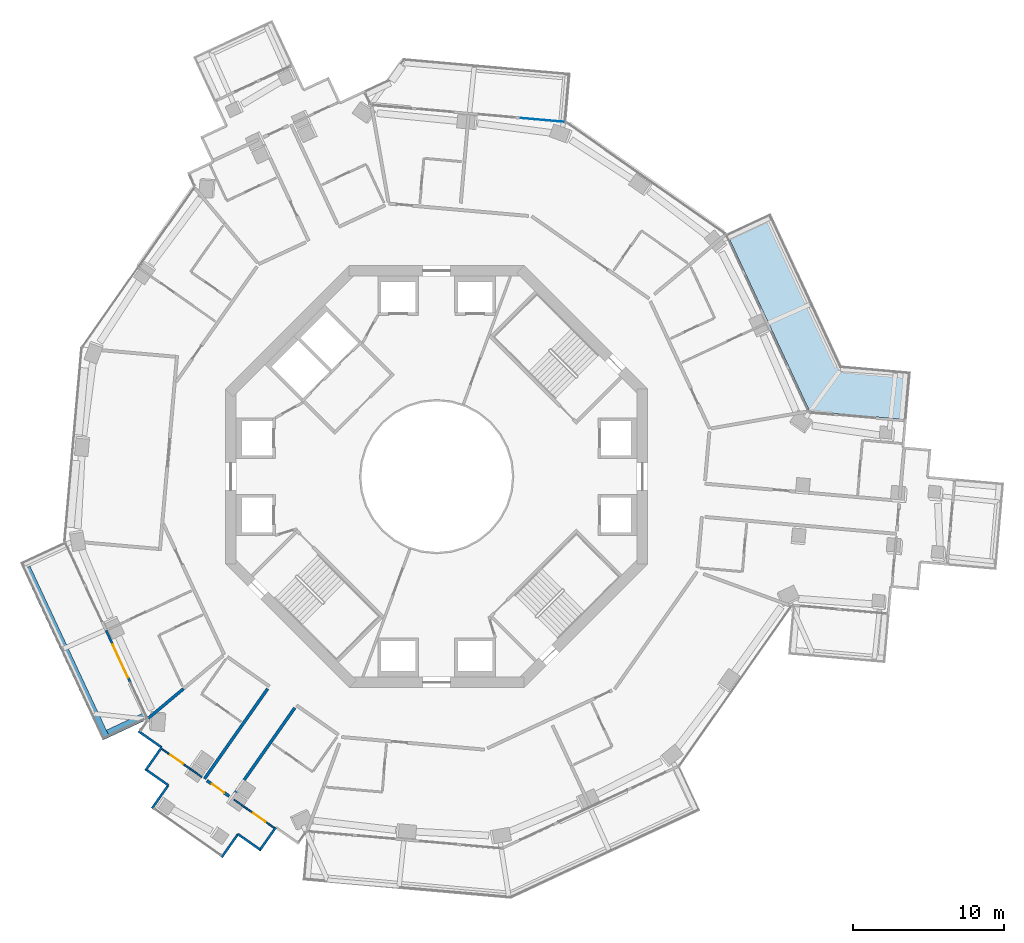
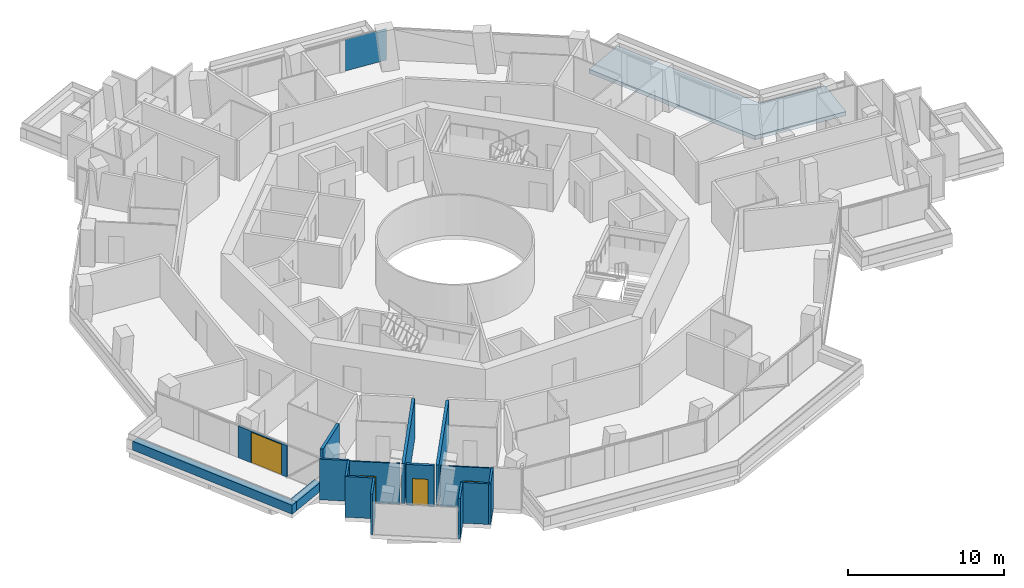
# One storey, part 14 of 23: 16 walls, 4 doors, 1 plate, 1 slab, 4 openings, 1 element without a shape of its own.
"""IFC4 building model written with IfcOpenShell, lengths in metres."""

from ifc_helpers import new_model, si_unit, direction, frame, frame_2d, origin, origin_2d, place, context, subcontext, project, spatial, polyline, rectangle, outline, extrude, material, layer, layer_set, type_object, element, fill, aggregate, save


model = new_model("IFC4")

# Units and contexts
model_context = context("Model", 3, precision=1e-05, world=origin(), true_north=direction((0.0, 1.0)))
body_context = subcontext(model_context, "Body", "Model", "MODEL_VIEW")
ifc_project = project(units=[si_unit("LENGTHUNIT", "METRE"), si_unit("AREAUNIT", "SQUARE_METRE"), si_unit("VOLUMEUNIT", "CUBIC_METRE"), si_unit("PLANEANGLEUNIT", "RADIAN"), si_unit("MASSUNIT", "GRAM", prefix="KILO")], contexts=[model_context])

# Site, building, storey
site_placement = place(None, origin())
site = spatial("IfcSite", under=ifc_project, at=site_placement, CompositionType="ELEMENT")
building_placement = place(site_placement, origin())
building = spatial("IfcBuilding", under=site, at=building_placement, Name="Verdalira Terraces Hotel", CompositionType="ELEMENT")
storey_placement = place(building_placement, frame((0.0, 0.0, 136.5)))
storey = spatial("IfcBuildingStorey", under=building, at=storey_placement, Name="L32", CompositionType="ELEMENT", Elevation=136.5)

# Slab
ifc_material_1 = material(Name="Precast concrete C40/50", Category="concrete")
ifc_layer_1 = layer(ifc_material_1, 0.31005859375)
ifc_layer_set_1 = layer_set([ifc_layer_1], Name="Balcony deck 310")
slab_type = type_object("IfcSlabType", Name="Balcony deck 310", PredefinedType="FLOOR", material=ifc_layer_set_1)
slab_placement = place(storey_placement, frame((0.0, 0.0, -0.310059)))
element("IfcSlab", 1, at=slab_placement, inside=storey, type_object=slab_type, Name="Balcony deck", PredefinedType="FLOOR", context=body_context, shape_type="SweptSolid", body=[
    extrude(outline(polyline([(22.150879, 17.47998), (19.249756, 16.129639), (24.735596, 4.34375), (31.174072, 3.775879), (31.455322, 6.963623), (26.857178, 7.369141), (22.150879, 17.47998)])), origin(), (0.0, 0.0, 1.0), 0.310059),
])

# Curtain wall, plate
ifc_material_2 = material(Name="Clear glass", Category="glass")
ifc_layer_2 = layer(ifc_material_2, 0.14990234375)
ifc_layer_set_2 = layer_set([ifc_layer_2], Name="CW1 curtain wall")
curtain_wall_type = type_object("IfcCurtainWallType", Name="CW1 curtain wall", PredefinedType="NOTDEFINED", material=ifc_layer_set_2)
curtain_wall_placement = place(storey_placement, origin())
curtain_wall = element("IfcCurtainWall", 2, at=curtain_wall_placement, inside=storey, type_object=curtain_wall_type, Name="CW1 curtain wall L32 edge 41", PredefinedType="NOTDEFINED")
ifc_material_3 = material(Name="Clear glass", Category="glass")
ifc_layer_3 = layer(ifc_material_3, 0.028076171875)
ifc_layer_set_3 = layer_set([ifc_layer_3], Name="CW1 glass unit 28")
plate_type = type_object("IfcPlateType", Name="CW1 glass unit 28", PredefinedType="CURTAIN_PANEL", material=ifc_layer_set_3)
plate_placement = place(storey_placement, frame((7.042969, 23.656006, 0.0), z_axis=(0.0, 0.0, 1.0), x_axis=(-0.996133609, 0.087851197, 0.0)))
plate = element("IfcPlate", 3, at=plate_placement, type_object=plate_type, Name="CW1 glass unit", PredefinedType="CURTAIN_PANEL", context=body_context, shape_type="SweptSolid", body=[
    extrude(rectangle(XDim=2.924805, YDim=0.028076, at=origin_2d()), origin(), (0.0, 0.0, 1.0), 2.475098),
])
aggregate(curtain_wall, [plate])

# Walls
ifc_material_4 = material(Name="Concrete C40", Category="concrete")
ifc_layer_4 = layer(ifc_material_4, 0.5)
ifc_layer_set_4 = layer_set([ifc_layer_4], Name="Balcony planter trough with tree")
wall_type_1 = type_object("IfcWallType", Name="Balcony planter trough with tree", PredefinedType="SOLIDWALL", material=ifc_layer_set_4)
wall_1_placement = place(storey_placement, frame((-27.198975, -6.041992, 0.0), z_axis=(0.0, 0.0, 1.0), x_axis=(0.421975332, -0.906607312, 0.0)))
element("IfcWall", 4, at=wall_1_placement, inside=storey, type_object=wall_type_1, Name="Balcony planter", PredefinedType="SOLIDWALL", context=body_context, shape_type="SweptSolid", body=[
    extrude(rectangle(XDim=12.5, YDim=0.5, at=frame_2d((6.25, 0.0))), origin(), (0.0, 0.0, 1.0), 0.699951),
])
wall_2_placement = place(storey_placement, frame((-21.802979, -17.042236, 0.0), z_axis=(0.0, 0.0, 1.0), x_axis=(0.906596382, 0.421998815, 0.0)))
element("IfcWall", 5, at=wall_2_placement, inside=storey, type_object=wall_type_1, Name="Balcony planter", PredefinedType="SOLIDWALL", context=body_context, shape_type="SweptSolid", body=[
    extrude(rectangle(XDim=2.698975, YDim=0.5, at=frame_2d((1.349609, 0.0))), origin(), (0.0, 0.0, 1.0), 0.699951),
])

# Wall, opening, door
ifc_material_5 = material(Name="Moisture-resistant gypsum board partition")
ifc_layer_5 = layer(ifc_material_5, 0.10009765625)
ifc_layer_set_5 = layer_set([ifc_layer_5], Name="Bathroom partition 100 mm")
wall_type_2 = type_object("IfcWallType", Name="Bathroom partition 100 mm", PredefinedType="PARTITIONING", material=ifc_layer_set_5)
wall_3_placement = place(storey_placement, frame((-18.229004, -18.066895, 0.0), z_axis=(0.0, 0.0, 1.0), x_axis=(0.818780202, -0.574107116, 0.0)))
wall_3 = element("IfcWall", 6, at=wall_3_placement, inside=storey, type_object=wall_type_2, Name="Bathroom partition", PredefinedType="PARTITIONING", context=body_context, shape_type="SweptSolid", body=[
    extrude(rectangle(XDim=3.251953, YDim=0.100098, at=frame_2d((1.625977, 0.0))), origin(), (0.0, 0.0, 1.0), 3.189941),
])
opening_1_placement = place(wall_3_placement, frame((0.699951, 0.0, 0.0)))
opening_1 = element("IfcOpeningElement", 7, at=opening_1_placement, cuts=wall_3, Name="Opening L32-113", PredefinedType="OPENING", context=body_context, shape_type="SweptSolid", body=[
    extrude(rectangle(XDim=1.0, YDim=2.100098, at=frame_2d((0.5, 1.050049))), frame((0.0, 0.060059, 0.0), z_axis=(0.0, -1.0, 0.0), x_axis=(1.0, 0.0, 0.0)), (0.0, 0.0, 1.0), 0.120117),
])
ifc_material_6 = material(Name="Timber door", Category="wood")
door_type_1 = type_object("IfcDoorType", Name="Suite internal door 1000 x 2100", OperationType="NOTDEFINED", PredefinedType="DOOR", material=ifc_material_6)
door_1_placement = place(opening_1_placement, origin())
door_1 = element("IfcDoor", 8, at=door_1_placement, inside=storey, type_object=door_type_1, Name="Suite internal door 3205", OperationType="SINGLE_SWING_LEFT", OverallHeight=2.10009765625, OverallWidth=1.0, PredefinedType="DOOR", context=body_context, shape_type="SweptSolid", body=[
    extrude(rectangle(XDim=1.0, YDim=2.100098, at=frame_2d((0.5, 1.050049))), frame((0.0, 0.024902, 0.0), z_axis=(0.0, -1.0, 0.0), x_axis=(1.0, 0.0, 0.0)), (0.0, 0.0, 1.0), 0.050049),
])
fill(opening_1, door_1)

wall_4_placement = place(storey_placement, frame((-13.4375, -21.426758, 0.0), z_axis=(0.0, 0.0, 1.0), x_axis=(0.818755455, -0.574142408, 0.0)))
wall_4 = element("IfcWall", 9, at=wall_4_placement, inside=storey, type_object=wall_type_2, Name="Bathroom partition", PredefinedType="PARTITIONING", context=body_context, shape_type="SweptSolid", body=[
    extrude(rectangle(XDim=3.251709, YDim=0.100098, at=frame_2d((1.625977, 0.0))), origin(), (0.0, 0.0, 1.0), 3.189941),
])
opening_2_placement = place(wall_4_placement, frame((1.550049, 0.0, 0.0)))
opening_2 = element("IfcOpeningElement", 10, at=opening_2_placement, cuts=wall_4, Name="Opening L32-114", PredefinedType="OPENING", context=body_context, shape_type="SweptSolid", body=[
    extrude(rectangle(XDim=1.0, YDim=2.100098, at=frame_2d((0.5, 1.050049))), frame((0.0, 0.060059, 0.0), z_axis=(0.0, -1.0, 0.0), x_axis=(1.0, 0.0, 0.0)), (0.0, 0.0, 1.0), 0.120117),
])
door_2_placement = place(opening_2_placement, origin())
door_2 = element("IfcDoor", 11, at=door_2_placement, inside=storey, type_object=door_type_1, Name="Suite internal door 3205", OperationType="SINGLE_SWING_LEFT", OverallHeight=2.10009765625, OverallWidth=1.0, PredefinedType="DOOR", context=body_context, shape_type="SweptSolid", body=[
    extrude(rectangle(XDim=1.0, YDim=2.100098, at=frame_2d((0.5, 1.050049))), frame((0.0, 0.024902, 0.0), z_axis=(0.0, -1.0, 0.0), x_axis=(1.0, 0.0, 0.0)), (0.0, 0.0, 1.0), 0.050049),
])
fill(opening_2, door_2)

# Wall
ifc_material_7 = material(Name="Fire-rated gypsum board wall")
ifc_layer_6 = layer(ifc_material_7, 0.199951171875)
ifc_layer_set_6 = layer_set([ifc_layer_6], Name="Demising wall 200 mm")
wall_type_3 = type_object("IfcWallType", Name="Demising wall 200 mm", PredefinedType="SOLIDWALL", material=ifc_layer_set_6)
wall_5_placement = place(storey_placement, frame((-16.789795, -14.068359, 0.0), z_axis=(0.0, 0.0, 1.0), x_axis=(-0.766498184, -0.642246474, 0.0)))
element("IfcWall", 12, at=wall_5_placement, inside=storey, type_object=wall_type_3, Name="Demising wall", PredefinedType="SOLIDWALL", context=body_context, shape_type="SweptSolid", body=[
    extrude(rectangle(XDim=3.059326, YDim=0.199951, at=frame_2d((1.529785, 0.0))), origin(), (0.0, 0.0, 1.0), 3.189941),
])

# Wall, opening, door
ifc_material_8 = material(Name="Fire-rated gypsum board wall")
ifc_layer_7 = layer(ifc_material_8, 0.199951171875)
ifc_layer_set_7 = layer_set([ifc_layer_7], Name="Guest corridor wall 200 mm")
wall_type_4 = type_object("IfcWallType", Name="Guest corridor wall 200 mm", PredefinedType="SOLIDWALL", material=ifc_layer_set_7)
wall_6_placement = place(storey_placement, frame((-13.763428, -21.198242, 0.0), z_axis=(0.0, 0.0, 1.0), x_axis=(-0.81872299, 0.574188702, 0.0)))
wall_6 = element("IfcWall", 13, at=wall_6_placement, inside=storey, type_object=wall_type_4, Name="Guest corridor wall", PredefinedType="SOLIDWALL", context=body_context, shape_type="SweptSolid", body=[
    extrude(rectangle(XDim=1.804199, YDim=0.199951, at=frame_2d((0.9021, 0.0))), origin(), (0.0, 0.0, 1.0), 3.189941),
])
opening_3_placement = place(wall_6_placement, frame((0.399902, 0.0, 0.0)))
opening_3 = element("IfcOpeningElement", 14, at=opening_3_placement, cuts=wall_6, Name="Opening L32-112", PredefinedType="OPENING", context=body_context, shape_type="SweptSolid", body=[
    extrude(rectangle(XDim=1.0, YDim=2.100098, at=frame_2d((0.5, 1.050049))), frame((0.0, 0.109863, 0.0), z_axis=(0.0, -1.0, 0.0), x_axis=(1.0, 0.0, 0.0)), (0.0, 0.0, 1.0), 0.219971),
])
ifc_material_9 = material(Name="Timber fire door", Category="wood")
door_type_2 = type_object("IfcDoorType", Name="Guest entry door 1000 x 2100", OperationType="NOTDEFINED", PredefinedType="DOOR", material=ifc_material_9)
door_3_placement = place(opening_3_placement, origin())
door_3 = element("IfcDoor", 15, at=door_3_placement, inside=storey, type_object=door_type_2, Name="Guest entry door 3205", OperationType="SINGLE_SWING_LEFT", OverallHeight=2.10009765625, OverallWidth=1.0, PredefinedType="DOOR", context=body_context, shape_type="SweptSolid", body=[
    extrude(rectangle(XDim=1.0, YDim=2.100098, at=frame_2d((0.5, 1.050049))), frame((0.0, 0.024902, 0.0), z_axis=(0.0, -1.0, 0.0), x_axis=(1.0, 0.0, 0.0)), (0.0, 0.0, 1.0), 0.050049),
])
fill(opening_3, door_3)

# Walls
wall_7_placement = place(storey_placement, frame((-11.211426, -14.071777, 0.0), z_axis=(0.0, 0.0, 1.0), x_axis=(-0.57414226, -0.818755559, 0.0)))
element("IfcWall", 16, at=wall_7_placement, inside=storey, type_object=wall_type_4, Name="Guest corridor wall", PredefinedType="SOLIDWALL", context=body_context, shape_type="SweptSolid", body=[
    extrude(rectangle(XDim=7.299805, YDim=0.199951, at=frame_2d((3.649902, 0.0))), origin(), (0.0, 0.0, 1.0), 3.189941),
])
wall_8_placement = place(storey_placement, frame((-13.601318, -21.312012, 0.0), z_axis=(0.0, 0.0, 1.0), x_axis=(0.574126539, 0.818766583, 0.0)))
element("IfcWall", 17, at=wall_8_placement, inside=storey, type_object=wall_type_4, Name="Guest corridor wall", PredefinedType="SOLIDWALL", context=body_context, shape_type="SweptSolid", body=[
    extrude(rectangle(XDim=7.300049, YDim=0.199951, at=frame_2d((3.649902, 0.0))), origin(), (0.0, 0.0, 1.0), 3.189941),
])
ifc_material_10 = material(Name="Terracotta cladding", Category="masonry")
ifc_layer_8 = layer(ifc_material_10, 0.14990234375)
ifc_layer_set_8 = layer_set([ifc_layer_8], Name="Terracotta clad wall 150")
wall_type_5 = type_object("IfcWallType", Name="Terracotta clad wall 150", PredefinedType="SOLIDWALL", material=ifc_layer_set_8)
wall_9_placement = place(storey_placement, frame((-19.780762, -16.886963, 0.0), z_axis=(0.0, 0.0, 1.0), x_axis=(0.818778979, -0.574108861, 0.0)))
element("IfcWall", 18, at=wall_9_placement, inside=storey, type_object=wall_type_5, Name="Terracotta cladding wall", PredefinedType="SOLIDWALL", context=body_context, shape_type="SweptSolid", body=[
    extrude(rectangle(XDim=1.875, YDim=0.149902, at=frame_2d((0.9375, 0.0))), origin(), (0.0, 0.0, 1.0), 3.189941),
])
wall_10_placement = place(storey_placement, frame((-18.245605, -17.963379, 0.0), z_axis=(0.0, 0.0, 1.0), x_axis=(-0.574108441, -0.818779273, 0.0)))
element("IfcWall", 19, at=wall_10_placement, inside=storey, type_object=wall_type_5, Name="Terracotta cladding wall", PredefinedType="SOLIDWALL", context=body_context, shape_type="SweptSolid", body=[
    extrude(rectangle(XDim=1.800049, YDim=0.149902, at=frame_2d((0.899902, 0.0))), origin(), (0.0, 0.0, 1.0), 3.189941),
])
for number, where, z_axis, x_axis, name in (
    (20, (-19.340576, -19.394043, 0.0), (0.0, 0.0, 1.0), (0.81871777, -0.574196146, 0.0), "Terracotta cladding wall"),
    (21, (-17.80542, -20.470703, 0.0), (0.0, 0.0, 1.0), (-0.574108861, -0.818778979, 0.0), "Terracotta cladding wall"),
    (22, (-14.256104, -25.249756, 0.0), (0.0, 0.0, 1.0), (0.574196146, 0.81871777, 0.0), "Terracotta cladding wall"),
):
    element("IfcWall", number, at=place(storey_placement, frame(where, z_axis=z_axis, x_axis=x_axis)), inside=storey, type_object=wall_type_5, Name=name, PredefinedType="SOLIDWALL", context=body_context, shape_type="SweptSolid", body=[
        extrude(rectangle(XDim=1.875, YDim=0.149902, at=frame_2d((0.9375, 0.0))), origin(), (0.0, 0.0, 1.0), 3.189941),
    ])
wall_11_placement = place(storey_placement, frame((-13.179443, -23.7146, 0.0), z_axis=(0.0, 0.0, 1.0), x_axis=(0.818734563, -0.574172201, 0.0)))
element("IfcWall", 23, at=wall_11_placement, inside=storey, type_object=wall_type_5, Name="Terracotta cladding wall", PredefinedType="SOLIDWALL", context=body_context, shape_type="SweptSolid", body=[
    extrude(rectangle(XDim=1.799805, YDim=0.149902, at=frame_2d((0.899902, 0.0))), origin(), (0.0, 0.0, 1.0), 3.189941),
])
wall_12_placement = place(storey_placement, frame((-11.748779, -24.80957, 0.0), z_axis=(0.0, 0.0, 1.0), x_axis=(0.574196146, 0.81871777, 0.0)))
element("IfcWall", 24, at=wall_12_placement, inside=storey, type_object=wall_type_5, Name="Terracotta cladding wall", PredefinedType="SOLIDWALL", context=body_context, shape_type="SweptSolid", body=[
    extrude(rectangle(XDim=1.875, YDim=0.149902, at=frame_2d((0.9375, 0.0))), origin(), (0.0, 0.0, 1.0), 3.189941),
])

# Wall, opening, door
ifc_material_11 = material(Name="Terracotta cladding", Category="masonry")
ifc_layer_9 = layer(ifc_material_11, 0.14990234375)
ifc_layer_set_9 = layer_set([ifc_layer_9], Name="Terracotta door pier 150")
wall_type_6 = type_object("IfcWallType", Name="Terracotta door pier 150", PredefinedType="SOLIDWALL", material=ifc_layer_set_9)
wall_13_placement = place(storey_placement, frame((-21.924561, -10.205078, 0.0), z_axis=(0.0, 0.0, 1.0), x_axis=(0.421958321, -0.90661523, 0.0)))
wall_13 = element("IfcWall", 25, at=wall_13_placement, inside=storey, type_object=wall_type_6, Name="Terracotta door pier", PredefinedType="SOLIDWALL", context=body_context, shape_type="SweptSolid", body=[
    extrude(rectangle(XDim=3.835449, YDim=0.149902, at=frame_2d((1.917725, 0.0))), origin(), (0.0, 0.0, 1.0), 2.475098),
])
opening_4_placement = place(wall_13_placement, frame((1.0354, 0.0, 0.0)))
opening_4 = element("IfcOpeningElement", 26, at=opening_4_placement, cuts=wall_13, Name="Opening L32-B03", PredefinedType="OPENING", context=body_context, shape_type="SweptSolid", body=[
    extrude(rectangle(XDim=2.399902, YDim=2.399902, at=frame_2d((1.199951, 1.199951))), frame((0.0, 0.084961, 0.0), z_axis=(0.0, -1.0, 0.0), x_axis=(1.0, 0.0, 0.0)), (0.0, 0.0, 1.0), 0.169922),
])
ifc_material_12 = material(Name="Clear glass", Category="glass")
door_type_3 = type_object("IfcDoorType", Name="Balcony sliding door 2400x2400", OperationType="NOTDEFINED", PredefinedType="DOOR", material=ifc_material_12)
door_4_placement = place(opening_4_placement, origin())
door_4 = element("IfcDoor", 27, at=door_4_placement, inside=storey, type_object=door_type_3, Name="Balcony sliding door", OperationType="SLIDING_TO_LEFT", OverallHeight=2.39990234375, OverallWidth=2.39990234375, PredefinedType="DOOR", context=body_context, shape_type="SweptSolid", body=[
    extrude(rectangle(XDim=2.399902, YDim=2.399902, at=frame_2d((1.199951, 1.199951))), frame((0.0, 0.024902, 0.0), z_axis=(0.0, -1.0, 0.0), x_axis=(1.0, 0.0, 0.0)), (0.0, 0.0, 1.0), 0.050049),
])
fill(opening_4, door_4)

save(model, "model.ifc")
